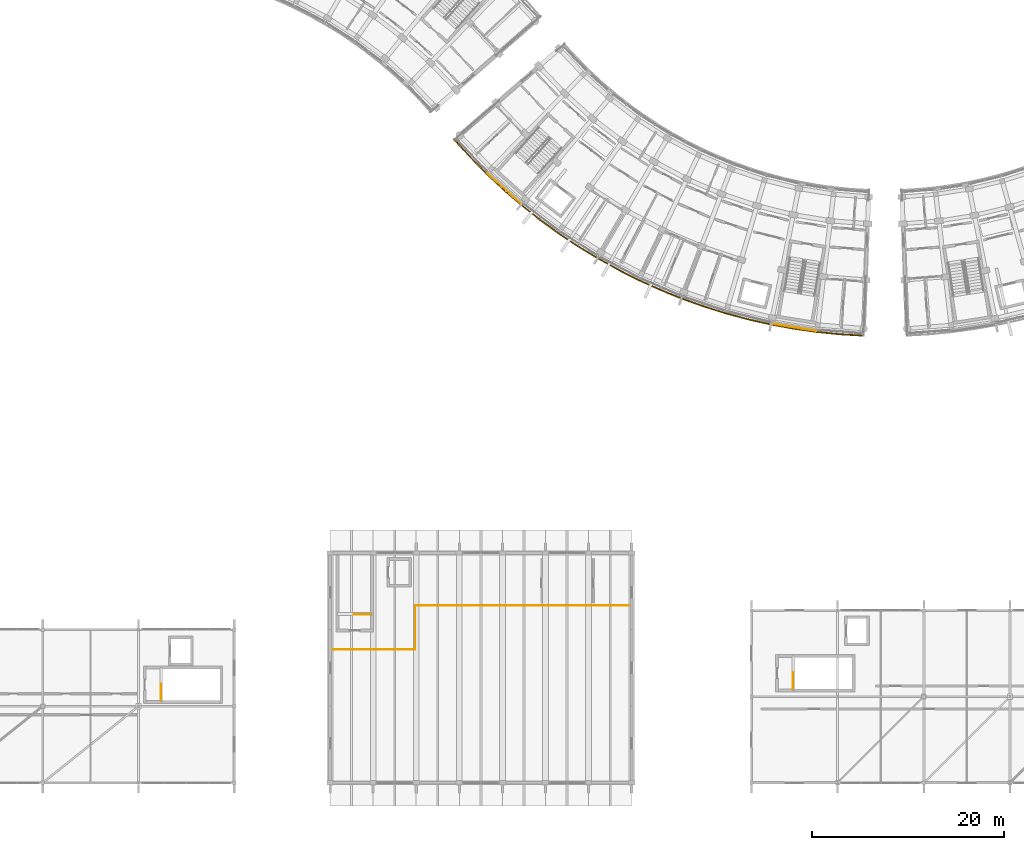
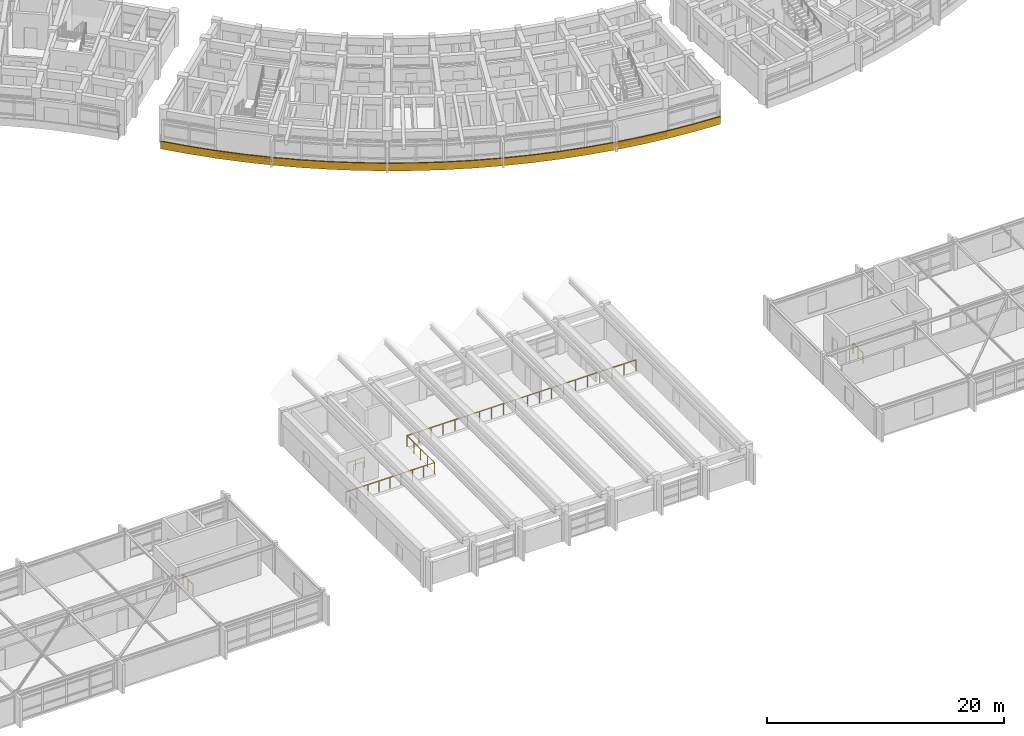
# One storey, part 71 of 83: 5 railings, 2 coverings.
"""IFC4 building model written with IfcOpenShell, lengths in metres."""

from ifc_helpers import new_model, si_unit, direction, frame, origin, origin_2d, place, context, subcontext, project, spatial, polyline, rectangle, circle, outline, extrude, material, layer, layer_set, type_object, element, save


model = new_model("IFC4")

# Units and contexts
model_context = context("Model", 3, precision=1e-05, world=origin(), true_north=direction((0.0, 1.0)))
body_context = subcontext(model_context, "Body", "Model", "MODEL_VIEW")
ifc_project = project(units=[si_unit("LENGTHUNIT", "METRE"), si_unit("AREAUNIT", "SQUARE_METRE"), si_unit("VOLUMEUNIT", "CUBIC_METRE"), si_unit("PLANEANGLEUNIT", "RADIAN"), si_unit("MASSUNIT", "GRAM", prefix="KILO")], contexts=[model_context])

# Site, building, storey
site_placement = place(None, origin())
site = spatial("IfcSite", under=ifc_project, at=site_placement, CompositionType="ELEMENT")
building_placement = place(site_placement, origin())
building = spatial("IfcBuilding", under=site, at=building_placement, Name="Zimvara Arc Housing Community", CompositionType="ELEMENT")
storey_placement = place(building_placement, frame((0.0, 0.0, 4.5)))
storey = spatial("IfcBuildingStorey", under=building, at=storey_placement, Name="L01", CompositionType="ELEMENT", Elevation=4.5)

# Coverings
ifc_material_1 = material(Name="Pale-Gold Anodised Aluminium Cladding", Category="aluminium")
ifc_layer_1 = layer(ifc_material_1, 0.0400390625)
ifc_layer_set_1 = layer_set([ifc_layer_1], Name="Pale-Gold Anodised Aluminium Cladding")
covering_type_1 = type_object("IfcCoveringType", Name="CLD-GOLD-01", PredefinedType="CLADDING", material=ifc_layer_set_1)
covering_1_placement = place(storey_placement, frame((116.450439453125, 51.15234375, 0.009765625), z_axis=(0.0, 0.0, 1.0), x_axis=(0.987080395872, -0.160225753504, 0.0)))
element("IfcCovering", 1, at=covering_1_placement, inside=storey, type_object=covering_type_1, Name="cld:blkC:L01:out:b8", PredefinedType="CLADDING", context=body_context, shape_type="SweptSolid", body=[
    extrude(rectangle(XDim=4.748779296875, YDim=0.0400390625, at=origin_2d()), origin(), (0.0, 0.0, 1.0), 0.300048828125),
])
ifc_material_2 = material(Name="Pale-Gold Anodised Aluminium Cladding", Category="aluminium")
ifc_layer_2 = layer(ifc_material_2, 0.044921875)
ifc_layer_set_2 = layer_set([ifc_layer_2], Name="Pale-Gold Anodised Aluminium Cladding")
covering_type_2 = type_object("IfcCoveringType", Name="CLD-GOLD-02", PredefinedType="CLADDING", material=ifc_layer_set_2)
covering_2_placement = place(storey_placement, frame((86.192138671875, 65.64013671875, 0.009765625), z_axis=(0.0, 0.0, 1.0), x_axis=(0.74337718344, -0.668872456557, 0.0)))
element("IfcCovering", 2, at=covering_2_placement, inside=storey, type_object=covering_type_2, Name="cld:blkC:L01:out:b1", PredefinedType="CLADDING", context=body_context, shape_type="SweptSolid", body=[
    extrude(rectangle(XDim=4.748779296875, YDim=0.044921875, at=origin_2d()), origin(), (0.0, 0.0, 1.0), 0.300048828125),
])

# Railings
ifc_material_3 = material(Name="Anodised Aluminium AW-6063", Category="aluminium")
railing_type_1 = type_object("IfcRailingType", Name="RLG-BAL-1120", PredefinedType="BALUSTRADE", material=ifc_material_3)
railing_1_placement = place(storey_placement, frame((72.219970703125, 21.179931640625, 0.0)))
element("IfcRailing", 3, at=railing_1_placement, inside=storey, type_object=railing_type_1, Name="L01 ST-H1 top well guard 1", PredefinedType="BALUSTRADE", context=body_context, shape_type="SweptSolid", body=[
    extrude(circle(Radius=0.02392578125, at=origin_2d()), frame((0.0, 0.0, 1.09619140625), z_axis=(-1.0, 0.0, 0.0), x_axis=(0.0, -1.0, 0.0)), (0.0, 0.0, 1.0), 1.719970703125),
    extrude(circle(Radius=0.02099609375, at=origin_2d()), origin(), (0.0, 0.0, 1.0), 1.072021484375),
    extrude(circle(Radius=0.02099609375, at=origin_2d()), frame((-0.85986328125, 0.0, 0.0)), (0.0, 0.0, 1.0), 1.072021484375),
    extrude(circle(Radius=0.02099609375, at=origin_2d()), frame((-1.719970703125, 0.0, 0.0)), (0.0, 0.0, 1.0), 1.072021484375),
])
railing_2_placement = place(storey_placement, frame((116.330078125, 13.39990234375, 0.0)))
element("IfcRailing", 4, at=railing_2_placement, inside=storey, type_object=railing_type_1, Name="L01 ST-N1 top well guard 1", PredefinedType="BALUSTRADE", context=body_context, shape_type="SweptSolid", body=[
    extrude(circle(Radius=0.02392578125, at=origin_2d()), frame((0.0, 0.0, 1.09619140625), z_axis=(0.0, 1.0, 0.0), x_axis=(-1.0, 0.0, 0.0)), (0.0, 0.0, 1.0), 1.72021484375),
    extrude(circle(Radius=0.02099609375, at=origin_2d()), origin(), (0.0, 0.0, 1.0), 1.072021484375),
    extrude(circle(Radius=0.02099609375, at=origin_2d()), frame((0.0, 0.860107421875, 0.0)), (0.0, 0.0, 1.0), 1.072021484375),
    extrude(circle(Radius=0.02099609375, at=origin_2d()), frame((0.0, 1.72021484375, 0.0)), (0.0, 0.0, 1.0), 1.072021484375),
])
railing_3_placement = place(storey_placement, frame((50.330078125, 12.199951171875, 0.0)))
element("IfcRailing", 5, at=railing_3_placement, inside=storey, type_object=railing_type_1, Name="L01 ST-S1 top well guard 1", PredefinedType="BALUSTRADE", context=body_context, shape_type="SweptSolid", body=[
    extrude(circle(Radius=0.02392578125, at=origin_2d()), frame((0.0, 0.0, 1.09619140625), z_axis=(0.0, 1.0, 0.0), x_axis=(-1.0, 0.0, 0.0)), (0.0, 0.0, 1.0), 1.719970703125),
    extrude(circle(Radius=0.02099609375, at=origin_2d()), origin(), (0.0, 0.0, 1.0), 1.072021484375),
    extrude(circle(Radius=0.02099609375, at=origin_2d()), frame((0.0, 0.85986328125, 0.0)), (0.0, 0.0, 1.0), 1.072021484375),
    extrude(circle(Radius=0.02099609375, at=origin_2d()), frame((0.0, 1.719970703125, 0.0)), (0.0, 0.0, 1.0), 1.072021484375),
])
ifc_material_4 = material(Name="Anodised Aluminium AW-6063", Category="aluminium")
railing_type_2 = type_object("IfcRailingType", Name="RLG-BAL-1150", PredefinedType="BALUSTRADE", material=ifc_material_4)
railing_4_placement = place(storey_placement, frame((68.300048828125, 17.5, 0.0)))
element("IfcRailing", 6, at=railing_4_placement, inside=storey, type_object=railing_type_2, Name="rlg:hall:L01:gallery_guard", PredefinedType="BALUSTRADE", context=body_context, shape_type="SweptSolid", body=[
    extrude(circle(Radius=0.02392578125, at=origin_2d()), frame((0.0, 0.0, 1.1259765625), z_axis=(1.0, 0.0, 0.0), x_axis=(0.0, 1.0, 0.0)), (0.0, 0.0, 1.0), 8.599853515625),
    extrude(circle(Radius=0.02392578125, at=origin_2d()), frame((8.599853515625, 0.0, 1.1259765625), z_axis=(0.0, 1.0, 0.0), x_axis=(-1.0, 0.0, 0.0)), (0.0, 0.0, 1.0), 4.60009765625),
    extrude(circle(Radius=0.02392578125, at=origin_2d()), frame((8.599853515625, 4.60009765625, 1.1259765625), z_axis=(1.0, 0.0, 0.0), x_axis=(0.0, 1.0, 0.0)), (0.0, 0.0, 1.0), 22.300048828125),
    extrude(circle(Radius=0.02099609375, at=origin_2d()), origin(), (0.0, 0.0, 1.0), 1.101806640625),
    extrude(circle(Radius=0.02099609375, at=origin_2d()), frame((1.074951171875, 0.0, 0.0)), (0.0, 0.0, 1.0), 1.101806640625),
    extrude(circle(Radius=0.02099609375, at=origin_2d()), frame((2.14990234375, 0.0, 0.0)), (0.0, 0.0, 1.0), 1.101806640625),
    extrude(circle(Radius=0.02099609375, at=origin_2d()), frame((3.224853515625, 0.0, 0.0)), (0.0, 0.0, 1.0), 1.101806640625),
    extrude(circle(Radius=0.02099609375, at=origin_2d()), frame((4.2998046875, 0.0, 0.0)), (0.0, 0.0, 1.0), 1.101806640625),
    extrude(circle(Radius=0.02099609375, at=origin_2d()), frame((5.375, 0.0, 0.0)), (0.0, 0.0, 1.0), 1.101806640625),
    extrude(circle(Radius=0.02099609375, at=origin_2d()), frame((6.449951171875, 0.0, 0.0)), (0.0, 0.0, 1.0), 1.101806640625),
    extrude(circle(Radius=0.02099609375, at=origin_2d()), frame((7.52490234375, 0.0, 0.0)), (0.0, 0.0, 1.0), 1.101806640625),
    extrude(circle(Radius=0.02099609375, at=origin_2d()), frame((8.599853515625, 0.0, 0.0)), (0.0, 0.0, 1.0), 1.101806640625),
    extrude(circle(Radius=0.02099609375, at=origin_2d()), frame((8.599853515625, 1.14990234375, 0.0)), (0.0, 0.0, 1.0), 1.101806640625),
    extrude(circle(Radius=0.02099609375, at=origin_2d()), frame((8.599853515625, 2.300048828125, 0.0)), (0.0, 0.0, 1.0), 1.101806640625),
    extrude(circle(Radius=0.02099609375, at=origin_2d()), frame((8.599853515625, 3.4501953125, 0.0)), (0.0, 0.0, 1.0), 1.101806640625),
    extrude(circle(Radius=0.02099609375, at=origin_2d()), frame((8.599853515625, 4.60009765625, 0.0)), (0.0, 0.0, 1.0), 1.101806640625),
    extrude(circle(Radius=0.02099609375, at=origin_2d()), frame((9.7734375, 4.60009765625, 0.0)), (0.0, 0.0, 1.0), 1.101806640625),
    extrude(circle(Radius=0.02099609375, at=origin_2d()), frame((10.947265625, 4.60009765625, 0.0)), (0.0, 0.0, 1.0), 1.101806640625),
    extrude(circle(Radius=0.02099609375, at=origin_2d()), frame((12.120849609375, 4.60009765625, 0.0)), (0.0, 0.0, 1.0), 1.101806640625),
    extrude(circle(Radius=0.02099609375, at=origin_2d()), frame((13.294677734375, 4.60009765625, 0.0)), (0.0, 0.0, 1.0), 1.101806640625),
    extrude(circle(Radius=0.02099609375, at=origin_2d()), frame((14.46826171875, 4.60009765625, 0.0)), (0.0, 0.0, 1.0), 1.101806640625),
    extrude(circle(Radius=0.02099609375, at=origin_2d()), frame((15.64208984375, 4.60009765625, 0.0)), (0.0, 0.0, 1.0), 1.101806640625),
    extrude(circle(Radius=0.02099609375, at=origin_2d()), frame((16.815673828125, 4.60009765625, 0.0)), (0.0, 0.0, 1.0), 1.101806640625),
    extrude(circle(Radius=0.02099609375, at=origin_2d()), frame((17.9892578125, 4.60009765625, 0.0)), (0.0, 0.0, 1.0), 1.101806640625),
    extrude(circle(Radius=0.02099609375, at=origin_2d()), frame((19.1630859375, 4.60009765625, 0.0)), (0.0, 0.0, 1.0), 1.101806640625),
    extrude(circle(Radius=0.02099609375, at=origin_2d()), frame((20.336669921875, 4.60009765625, 0.0)), (0.0, 0.0, 1.0), 1.101806640625),
    extrude(circle(Radius=0.02099609375, at=origin_2d()), frame((21.510498046875, 4.60009765625, 0.0)), (0.0, 0.0, 1.0), 1.101806640625),
    extrude(circle(Radius=0.02099609375, at=origin_2d()), frame((22.68408203125, 4.60009765625, 0.0)), (0.0, 0.0, 1.0), 1.101806640625),
    extrude(circle(Radius=0.02099609375, at=origin_2d()), frame((23.857666015625, 4.60009765625, 0.0)), (0.0, 0.0, 1.0), 1.101806640625),
    extrude(circle(Radius=0.02099609375, at=origin_2d()), frame((25.031494140625, 4.60009765625, 0.0)), (0.0, 0.0, 1.0), 1.101806640625),
    extrude(circle(Radius=0.02099609375, at=origin_2d()), frame((26.205078125, 4.60009765625, 0.0)), (0.0, 0.0, 1.0), 1.101806640625),
    extrude(circle(Radius=0.02099609375, at=origin_2d()), frame((27.37890625, 4.60009765625, 0.0)), (0.0, 0.0, 1.0), 1.101806640625),
    extrude(circle(Radius=0.02099609375, at=origin_2d()), frame((28.552490234375, 4.60009765625, 0.0)), (0.0, 0.0, 1.0), 1.101806640625),
    extrude(circle(Radius=0.02099609375, at=origin_2d()), frame((29.726318359375, 4.60009765625, 0.0)), (0.0, 0.0, 1.0), 1.101806640625),
    extrude(circle(Radius=0.02099609375, at=origin_2d()), frame((30.89990234375, 4.60009765625, 0.0)), (0.0, 0.0, 1.0), 1.101806640625),
])
ifc_material_5 = material(Name="Pale-Gold Anodised Aluminium AW-6063", Category="aluminium")
railing_type_3 = type_object("IfcRailingType", Name="RLG-FAS-780", PredefinedType="BALUSTRADE", material=ifc_material_5)
railing_5_placement = place(storey_placement, frame((0.0, 0.0, -0.219970703125)))
element("IfcRailing", 7, at=railing_5_placement, inside=storey, type_object=railing_type_3, Name="rlg:blkC:L01:gold_out", PredefinedType="BALUSTRADE", context=body_context, shape_type="SweptSolid", body=[
    extrude(outline(polyline([(80.93896484375, 70.706298828125), (82.5751953125, 68.900146484375), (84.28369140625, 67.162109375), (86.061767578125, 65.4951171875), (87.906494140625, 63.90234375), (89.814697265625, 62.38623046875), (91.783203125, 60.94921875), (93.80859375, 59.59375), (95.8876953125, 58.322021484375), (98.01708984375, 57.136474609375), (100.193115234375, 56.03857421875), (102.412109375, 55.03076171875), (104.67041015625, 54.114013671875), (106.96435546875, 53.29052734375), (109.289794921875, 52.561279296875), (111.643310546875, 51.927734375), (114.0205078125, 51.390625), (116.417724609375, 50.950927734375), (118.830810546875, 50.60986328125), (121.256103515625, 50.3671875), (123.68896484375, 50.223876953125), (123.693603515625, 50.343994140625), (121.265625, 50.48681640625), (118.84521484375, 50.728759765625), (116.43701171875, 51.069580078125), (114.04443359375, 51.508056640625), (111.672119140625, 52.044189453125), (109.3232421875, 52.676513671875), (107.00244140625, 53.404296875), (104.71337890625, 54.226318359375), (102.45947265625, 55.140869140625), (100.244873046875, 56.14697265625), (98.0732421875, 57.242431640625), (95.9482421875, 58.42578125), (93.873291015625, 59.69482421875), (91.851806640625, 61.04736328125), (89.887451171875, 62.481689453125), (87.98291015625, 63.99462890625), (86.14208984375, 65.58447265625), (84.367431640625, 67.247802734375), (82.662353515625, 68.982421875), (81.029541015625, 70.78515625), (80.93896484375, 70.706298828125)])), origin(), (0.0, 0.0, 1.0), 0.780029296875),
])

save(model, "model.ifc")
